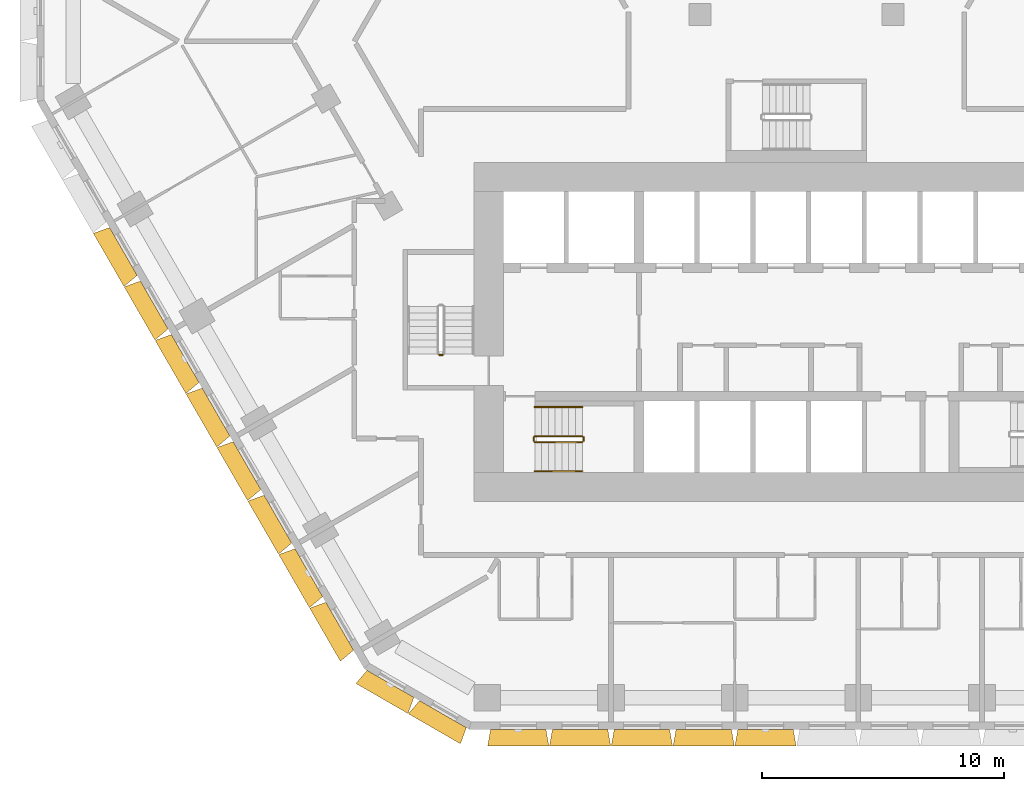
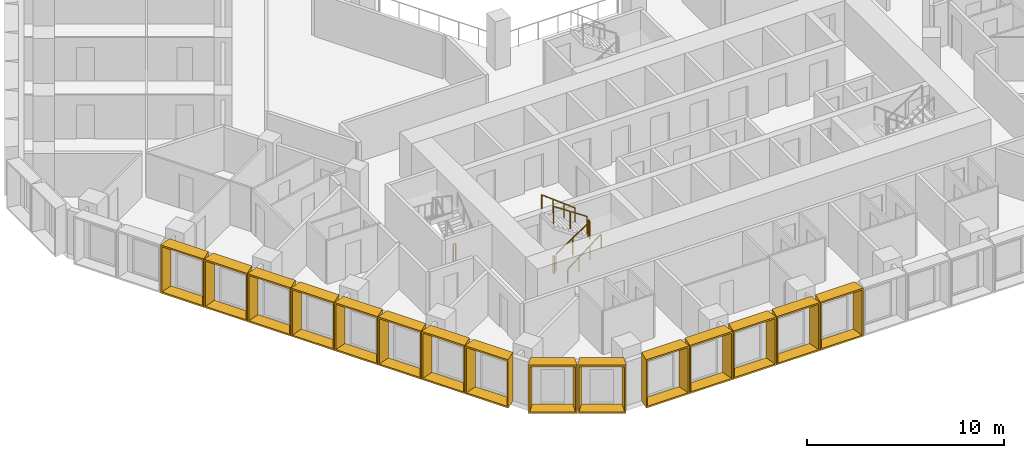
# One storey, part 18 of 21: 15 shading devices, 7 railings.
"""IFC4 building model written with IfcOpenShell, lengths in metres."""

from ifc_helpers import new_model, entity, si_unit, direction, frame, origin, origin_2d, place, context, subcontext, project, spatial, rectangle, extrude, source, transform, mapped, material, type_object, type_shapes, element, save


model = new_model("IFC4")

# Units and contexts
model_context = context("Model", 3, precision=1e-05, world=origin(), true_north=direction((0.0, 1.0)))
body_context = subcontext(model_context, "Body", "Model", "MODEL_VIEW")
ifc_project = project(units=[si_unit("LENGTHUNIT", "METRE"), si_unit("AREAUNIT", "SQUARE_METRE"), si_unit("VOLUMEUNIT", "CUBIC_METRE"), si_unit("PLANEANGLEUNIT", "RADIAN"), si_unit("MASSUNIT", "GRAM", prefix="KILO")], contexts=[model_context])

# Site, building, storey
site_placement = place(None, origin())
site = spatial("IfcSite", under=ifc_project, at=site_placement, CompositionType="ELEMENT")
building_placement = place(site_placement, origin())
building = spatial("IfcBuilding", under=site, at=building_placement, Name="Beryl Residences", CompositionType="ELEMENT")
storey_placement = place(building_placement, frame((0.0, 0.0, 35.39990234375)))
storey = spatial("IfcBuildingStorey", under=building, at=storey_placement, Name="L10", CompositionType="ELEMENT", Elevation=35.39990234375)

# Shading devices
ifc_material_1 = material(Name="Aluminium pale anodised", Category="aluminium")
shading_device_type_1 = type_object("IfcShadingDeviceType", Name="FR250-70A OUTER SKIN frame 700 mm deep, splay 10/10 deg, 2500 x 3000 mm cell", PredefinedType="USERDEFINED", material=ifc_material_1)
cartesian_point_1 = entity("IfcCartesianPoint", [-1.116455078125, 0.0])
cartesian_point_2 = entity("IfcCartesianPoint", [-1.03515625, 0.10009765625])
cartesian_point_3 = entity("IfcCartesianPoint", [-1.239990234375, 0.0])
cartesian_point_4 = entity("IfcCartesianPoint", [-1.15869140625, 0.10009765625])
shared_shape_1 = source(origin(), body_context, "Body", "SweptSolid", [
    entity("IfcExtrudedAreaSolidTapered", entity("IfcArbitraryProfileDefWithVoids", "AREA", None, entity("IfcPolyline", [cartesian_point_1, entity("IfcCartesianPoint", [1.116455078125, 0.0]), entity("IfcCartesianPoint", [1.116455078125, 3.0]), entity("IfcCartesianPoint", [-1.116455078125, 3.0]), cartesian_point_1]), [entity("IfcPolyline", [cartesian_point_2, entity("IfcCartesianPoint", [1.03515625, 0.10009765625]), entity("IfcCartesianPoint", [1.03515625, 2.89990234375]), entity("IfcCartesianPoint", [-1.03515625, 2.89990234375]), cartesian_point_2])]), entity("IfcAxis2Placement3D", entity("IfcCartesianPoint", [0.0, 0.0, 0.0]), entity("IfcDirection", [0.0, 1.0, 0.0]), entity("IfcDirection", [-1.0, 0.0, 0.0])), entity("IfcDirection", [0.0, 0.0, 1.0]), 0.699951171875, entity("IfcArbitraryProfileDefWithVoids", "AREA", None, entity("IfcPolyline", [cartesian_point_3, entity("IfcCartesianPoint", [1.239990234375, 0.0]), entity("IfcCartesianPoint", [1.239990234375, 3.0]), entity("IfcCartesianPoint", [-1.239990234375, 3.0]), cartesian_point_3]), [entity("IfcPolyline", [cartesian_point_4, entity("IfcCartesianPoint", [1.15869140625, 0.10009765625]), entity("IfcCartesianPoint", [1.15869140625, 2.89990234375]), entity("IfcCartesianPoint", [-1.15869140625, 2.89990234375]), cartesian_point_4])])),
])
type_shapes(shading_device_type_1, [shared_shape_1])
for number, where, z_axis, x_axis, name in (
    (1, (-16.758056640625, -26.52490234375, 0.0), (0.0, 0.0, 1.0), (-0.866025403784, 0.5, 0.0), "FR250-70A frame L10 SW-S 1"),
    (2, (-14.593017578125, -27.77490234375, 0.0), (0.0, 0.0, 1.0), (-0.866025403784, 0.5, 0.0), "FR250-70A frame L10 SW-S 2"),
):
    element("IfcShadingDevice", number, at=place(storey_placement, frame(where, z_axis=z_axis, x_axis=x_axis)), inside=storey, type_object=shading_device_type_1, Name=name, ObjectType="OUTER SKIN", PredefinedType="USERDEFINED", context=body_context, shape_type="MappedRepresentation", body=[
        mapped(shared_shape_1, transform((0.0, 0.0, 0.0))),
    ])
ifc_material_2 = material(Name="Aluminium pale anodised", Category="aluminium")
shading_device_type_2 = type_object("IfcShadingDeviceType", Name="FR255-70A OUTER SKIN frame 700 mm deep, splay 10/10 deg, 2550 x 3000 mm cell", PredefinedType="USERDEFINED", material=ifc_material_2)
cartesian_point_5 = entity("IfcCartesianPoint", [-1.1416015625, 0.0])
cartesian_point_6 = entity("IfcCartesianPoint", [-1.060302734375, 0.10009765625])
cartesian_point_7 = entity("IfcCartesianPoint", [-1.264892578125, 0.0])
cartesian_point_8 = entity("IfcCartesianPoint", [-1.18359375, 0.10009765625])
shared_shape_2 = source(origin(), body_context, "Body", "SweptSolid", [
    entity("IfcExtrudedAreaSolidTapered", entity("IfcArbitraryProfileDefWithVoids", "AREA", None, entity("IfcPolyline", [cartesian_point_5, entity("IfcCartesianPoint", [1.1416015625, 0.0]), entity("IfcCartesianPoint", [1.1416015625, 3.0]), entity("IfcCartesianPoint", [-1.1416015625, 3.0]), cartesian_point_5]), [entity("IfcPolyline", [cartesian_point_6, entity("IfcCartesianPoint", [1.060302734375, 0.10009765625]), entity("IfcCartesianPoint", [1.060302734375, 2.89990234375]), entity("IfcCartesianPoint", [-1.060302734375, 2.89990234375]), cartesian_point_6])]), entity("IfcAxis2Placement3D", entity("IfcCartesianPoint", [0.0, 0.0, 0.0]), entity("IfcDirection", [0.0, 1.0, 0.0]), entity("IfcDirection", [-1.0, 0.0, 0.0])), entity("IfcDirection", [0.0, 0.0, 1.0]), 0.699951171875, entity("IfcArbitraryProfileDefWithVoids", "AREA", None, entity("IfcPolyline", [cartesian_point_7, entity("IfcCartesianPoint", [1.264892578125, 0.0]), entity("IfcCartesianPoint", [1.264892578125, 3.0]), entity("IfcCartesianPoint", [-1.264892578125, 3.0]), cartesian_point_7]), [entity("IfcPolyline", [cartesian_point_8, entity("IfcCartesianPoint", [1.18359375, 0.10009765625]), entity("IfcCartesianPoint", [1.18359375, 2.89990234375]), entity("IfcCartesianPoint", [-1.18359375, 2.89990234375]), cartesian_point_8])])),
])
type_shapes(shading_device_type_2, [shared_shape_2])
for number, where, z_axis, x_axis, name in (
    (3, (-27.783935546875, -8.676025390625, 0.0), (0.0, 0.0, 1.0), (-0.5, 0.866025403784, 0.0), "FR255-70A frame L10 SW 3"),
    (4, (-26.508056640625, -10.885986328125, 0.0), (0.0, 0.0, 1.0), (-0.5, 0.866025403784, 0.0), "FR255-70A frame L10 SW 4"),
    (5, (-25.23193359375, -13.095947265625, 0.0), (0.0, 0.0, 1.0), (-0.5, 0.866025403784, 0.0), "FR255-70A frame L10 SW 5"),
    (6, (-23.95703125, -15.305908203125, 0.0), (0.0, 0.0, 1.0), (-0.5, 0.866025403784, 0.0), "FR255-70A frame L10 SW 6"),
    (7, (-22.680908203125, -17.51611328125, 0.0), (0.0, 0.0, 1.0), (-0.5, 0.866025403784, 0.0), "FR255-70A frame L10 SW 7"),
    (8, (-21.405029296875, -19.72607421875, 0.0), (0.0, 0.0, 1.0), (-0.5, 0.866025403784, 0.0), "FR255-70A frame L10 SW 8"),
    (9, (-20.12890625, -21.93603515625, 0.0), (0.0, 0.0, 1.0), (-0.5, 0.866025403784, 0.0), "FR255-70A frame L10 SW 9"),
    (10, (-18.85302734375, -24.14599609375, 0.0), (0.0, 0.0, 1.0), (-0.5, 0.866025403784, 0.0), "FR255-70A frame L10 SW 10"),
    (11, (-11.48291015625, -28.39990234375, 0.0), (0.0, 0.0, 1.0), (-1.0, 0.0, 0.0), "FR255-70A frame L10 S 1"),
    (12, (-8.930908203125, -28.39990234375, 0.0), (0.0, 0.0, 1.0), (-1.0, 0.0, 0.0), "FR255-70A frame L10 S 2"),
    (13, (-6.37890625, -28.39990234375, 0.0), (0.0, 0.0, 1.0), (-1.0, 0.0, 0.0), "FR255-70A frame L10 S 3"),
    (14, (-3.826904296875, -28.39990234375, 0.0), (0.0, 0.0, 1.0), (-1.0, 0.0, 0.0), "FR255-70A frame L10 S 4"),
    (15, (-1.27490234375, -28.39990234375, 0.0), (0.0, 0.0, 1.0), (-1.0, 0.0, 0.0), "FR255-70A frame L10 S 5"),
):
    element("IfcShadingDevice", number, at=place(storey_placement, frame(where, z_axis=z_axis, x_axis=x_axis)), inside=storey, type_object=shading_device_type_2, Name=name, ObjectType="OUTER SKIN", PredefinedType="USERDEFINED", context=body_context, shape_type="MappedRepresentation", body=[
        mapped(shared_shape_2, transform((0.0, 0.0, 0.0))),
    ])

# Railings
ifc_material_3 = material(Name="Stainless steel balustrade with glass infill", Category="steel")
railing_type_1 = type_object("IfcRailingType", Name="SG1 stair guard 1100 mm", PredefinedType="GUARDRAIL", material=ifc_material_3)
railing_1_placement = place(storey_placement, frame((-10.800048828125, -16.550048828125, 0.1875)))
element("IfcRailing", 16, at=railing_1_placement, inside=storey, type_object=railing_type_1, Name="L10 ST-1 stair guard 1", PredefinedType="GUARDRAIL", context=body_context, shape_type="SweptSolid", body=[
    extrude(rectangle(XDim=0.048095703125, YDim=0.048095703125, at=origin_2d()), frame((0.0, 0.0, 1.076171875), z_axis=(0.830902050051, 0.0, 0.556418712142), x_axis=(0.0, 1.0, 0.0)), (0.0, 0.0, 1.0), 2.35888671875),
    extrude(rectangle(XDim=0.0419921875, YDim=0.0419921875, at=origin_2d()), origin(), (0.0, 0.0, 1.0), 1.052001953125),
    extrude(rectangle(XDim=0.0419921875, YDim=0.0419921875, at=origin_2d()), frame((0.97998046875, 0.0, 0.65625)), (0.0, 0.0, 1.0), 1.052001953125),
    extrude(rectangle(XDim=0.0419921875, YDim=0.0419921875, at=origin_2d()), frame((1.9599609375, 0.0, 1.3125)), (0.0, 0.0, 1.0), 1.052001953125),
])
railing_2_placement = place(storey_placement, frame((-8.7900390625, -16.5, 1.5)))
element("IfcRailing", 17, at=railing_2_placement, inside=storey, type_object=railing_type_1, Name="L10 ST-1 stair guard 2", PredefinedType="GUARDRAIL", context=body_context, shape_type="SweptSolid", body=[
    extrude(rectangle(XDim=0.048095703125, YDim=0.048095703125, at=origin_2d()), frame((0.0, 0.0, 1.076171875), z_axis=(0.0, 1.0, 0.0), x_axis=(-1.0, 0.0, 0.0)), (0.0, 0.0, 1.0), 0.14990234375),
    extrude(rectangle(XDim=0.0419921875, YDim=0.0419921875, at=origin_2d()), origin(), (0.0, 0.0, 1.0), 1.052001953125),
    extrude(rectangle(XDim=0.0419921875, YDim=0.0419921875, at=origin_2d()), frame((0.0, 0.14990234375, 0.0)), (0.0, 0.0, 1.0), 1.052001953125),
])
railing_3_placement = place(storey_placement, frame((-8.840087890625, -16.300048828125, 1.6875)))
element("IfcRailing", 18, at=railing_3_placement, inside=storey, type_object=railing_type_1, Name="L10 ST-1 stair guard 3", PredefinedType="GUARDRAIL", context=body_context, shape_type="SweptSolid", body=[
    extrude(rectangle(XDim=0.048095703125, YDim=0.048095703125, at=origin_2d()), frame((0.0, 0.0, 1.076171875), z_axis=(-0.830902050051, 0.0, 0.556418712142), x_axis=(0.0, -1.0, 0.0)), (0.0, 0.0, 1.0), 2.35888671875),
    extrude(rectangle(XDim=0.0419921875, YDim=0.0419921875, at=origin_2d()), origin(), (0.0, 0.0, 1.0), 1.052001953125),
    extrude(rectangle(XDim=0.0419921875, YDim=0.0419921875, at=origin_2d()), frame((-0.97998046875, 0.0, 0.65625)), (0.0, 0.0, 1.0), 1.052001953125),
    extrude(rectangle(XDim=0.0419921875, YDim=0.0419921875, at=origin_2d()), frame((-1.9599609375, 0.0, 1.3125)), (0.0, 0.0, 1.0), 1.052001953125),
])
railing_4_placement = place(storey_placement, frame((-10.85009765625, -16.5, 0.0)))
element("IfcRailing", 19, at=railing_4_placement, inside=storey, type_object=railing_type_1, Name="L10 ST-1 stair guard 4", PredefinedType="GUARDRAIL", context=body_context, shape_type="SweptSolid", body=[
    extrude(rectangle(XDim=0.048095703125, YDim=0.048095703125, at=origin_2d()), frame((0.0, 0.0, 1.076171875), z_axis=(0.0, 1.0, 0.0), x_axis=(-1.0, 0.0, 0.0)), (0.0, 0.0, 1.0), 0.14990234375),
    extrude(rectangle(XDim=0.0419921875, YDim=0.0419921875, at=origin_2d()), origin(), (0.0, 0.0, 1.0), 1.052001953125),
    extrude(rectangle(XDim=0.0419921875, YDim=0.0419921875, at=origin_2d()), frame((0.0, 0.14990234375, 0.0)), (0.0, 0.0, 1.0), 1.052001953125),
])
railing_5_placement = place(storey_placement, frame((-14.60009765625, -12.949951171875, 0.0)))
element("IfcRailing", 20, at=railing_5_placement, inside=storey, type_object=railing_type_1, Name="L10 ST-2 stair guard 4", PredefinedType="GUARDRAIL", context=body_context, shape_type="SweptSolid", body=[
    extrude(rectangle(XDim=0.048095703125, YDim=0.048095703125, at=origin_2d()), frame((0.0, 0.0, 1.076171875), z_axis=(-1.0, 0.0, 0.0), x_axis=(0.0, -1.0, 0.0)), (0.0, 0.0, 1.0), 0.14990234375),
    extrude(rectangle(XDim=0.0419921875, YDim=0.0419921875, at=origin_2d()), origin(), (0.0, 0.0, 1.0), 1.052001953125),
    extrude(rectangle(XDim=0.0419921875, YDim=0.0419921875, at=origin_2d()), frame((-0.14990234375, 0.0, 0.0)), (0.0, 0.0, 1.0), 1.052001953125),
])
ifc_material_4 = material(Name="Stainless steel handrail", Category="steel")
railing_type_2 = type_object("IfcRailingType", Name="SRL1 stair handrail 900 mm", PredefinedType="HANDRAIL", material=ifc_material_4)
railing_6_placement = place(storey_placement, frame((-10.800048828125, -17.75, 0.1875)))
element("IfcRailing", 21, at=railing_6_placement, inside=storey, type_object=railing_type_2, Name="L10 ST-1 stair handrail 1", PredefinedType="HANDRAIL", context=body_context, shape_type="SweptSolid", body=[
    extrude(rectangle(XDim=0.048095703125, YDim=0.048095703125, at=origin_2d()), frame((0.0, 0.0, 0.8759765625), z_axis=(0.794121922505, 0.0, 0.607758481798), x_axis=(0.0, 1.0, 0.0)), (0.0, 0.0, 1.0), 2.468017578125),
    extrude(rectangle(XDim=0.0419921875, YDim=0.0419921875, at=origin_2d()), origin(), (0.0, 0.0, 1.0), 0.851806640625),
    extrude(rectangle(XDim=0.0419921875, YDim=0.0419921875, at=origin_2d()), frame((0.6533203125, 0.0, 0.5)), (0.0, 0.0, 1.0), 0.851806640625),
    extrude(rectangle(XDim=0.0419921875, YDim=0.0419921875, at=origin_2d()), frame((1.306640625, 0.0, 1.0)), (0.0, 0.0, 1.0), 0.851806640625),
    extrude(rectangle(XDim=0.0419921875, YDim=0.0419921875, at=origin_2d()), frame((1.9599609375, 0.0, 1.5)), (0.0, 0.0, 1.0), 0.851806640625),
])
railing_7_placement = place(storey_placement, frame((-8.840087890625, -15.10009765625, 1.6875)))
element("IfcRailing", 22, at=railing_7_placement, inside=storey, type_object=railing_type_2, Name="L10 ST-1 stair handrail 2", PredefinedType="HANDRAIL", context=body_context, shape_type="SweptSolid", body=[
    extrude(rectangle(XDim=0.048095703125, YDim=0.048095703125, at=origin_2d()), frame((0.0, 0.0, 0.8759765625), z_axis=(-0.794121922505, 0.0, 0.607758481798), x_axis=(0.0, -1.0, 0.0)), (0.0, 0.0, 1.0), 2.468017578125),
    extrude(rectangle(XDim=0.0419921875, YDim=0.0419921875, at=origin_2d()), origin(), (0.0, 0.0, 1.0), 0.851806640625),
    extrude(rectangle(XDim=0.0419921875, YDim=0.0419921875, at=origin_2d()), frame((-0.6533203125, 0.0, 0.5)), (0.0, 0.0, 1.0), 0.851806640625),
    extrude(rectangle(XDim=0.0419921875, YDim=0.0419921875, at=origin_2d()), frame((-1.306640625, 0.0, 1.0)), (0.0, 0.0, 1.0), 0.851806640625),
    extrude(rectangle(XDim=0.0419921875, YDim=0.0419921875, at=origin_2d()), frame((-1.9599609375, 0.0, 1.5)), (0.0, 0.0, 1.0), 0.851806640625),
])

save(model, "model.ifc")
